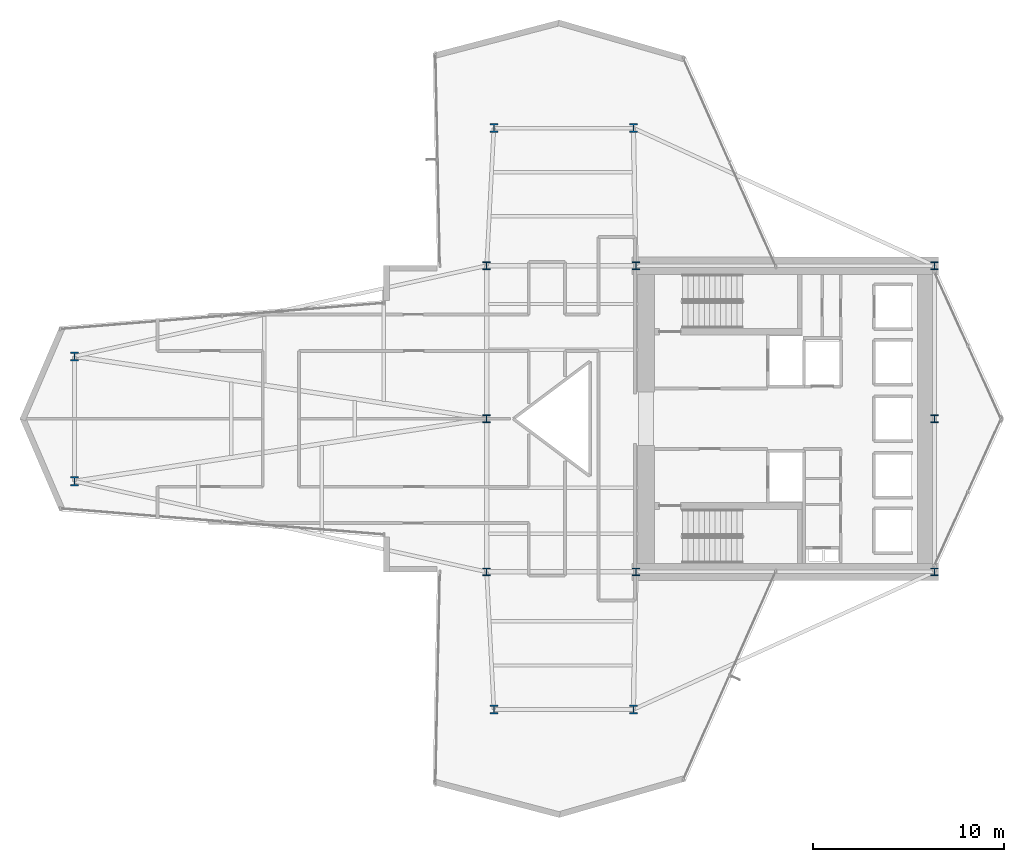
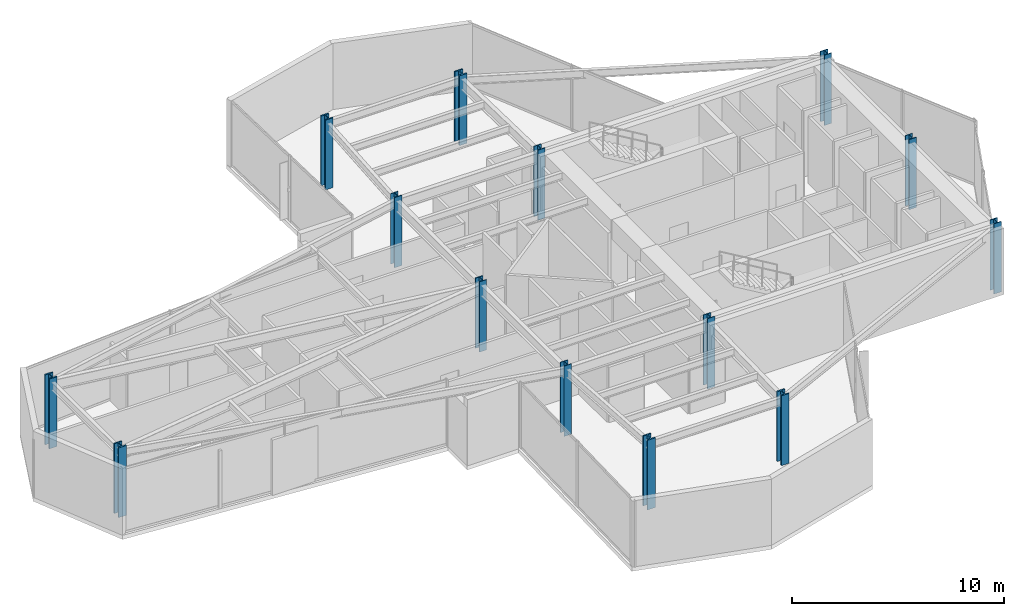
# One storey, part 1 of 23: 14 columns.
"""IFC4 building model written with IfcOpenShell, lengths in metres."""

from ifc_helpers import new_model, si_unit, direction, frame, origin, origin_2d, place, context, subcontext, project, spatial, i_section, extrude, material, material_profile, profile_set, type_object, element, save


model = new_model("IFC4")

# Units and contexts
model_context = context("Model", 3, precision=1e-05, world=origin(), true_north=direction((0.0, 1.0)))
body_context = subcontext(model_context, "Body", "Model", "MODEL_VIEW")
ifc_project = project(units=[si_unit("LENGTHUNIT", "METRE"), si_unit("AREAUNIT", "SQUARE_METRE"), si_unit("VOLUMEUNIT", "CUBIC_METRE"), si_unit("PLANEANGLEUNIT", "RADIAN"), si_unit("MASSUNIT", "GRAM", prefix="KILO")], contexts=[model_context])

# Site, building, storey
site_placement = place(None, origin())
site = spatial("IfcSite", under=ifc_project, at=site_placement, CompositionType="ELEMENT")
building_placement = place(site_placement, origin())
building = spatial("IfcBuilding", under=site, at=building_placement, Name="Veymaron Broadcast Tower", CompositionType="ELEMENT")
storey_placement = place(building_placement, frame((0.0, 0.0, 94.5)))
storey = spatial("IfcBuildingStorey", under=building, at=storey_placement, Name="L21", CompositionType="ELEMENT", Elevation=94.5)

# Columns
ifc_material = material(Name="Structural steel ASTM A913 Gr 65", Category="steel")
ifc_material_profile_1 = material_profile(ifc_material, i_section(OverallWidth=0.40087890625, OverallDepth=0.39892578125, WebThickness=0.02490234375, FlangeThickness=0.03955078125, at=origin_2d()), Name="W360X314")
ifc_profile_set_1 = profile_set([ifc_material_profile_1], Name="Structural steel ASTM A913 Gr 65")
column_type_1 = type_object("IfcColumnType", Name="COL-HC1", PredefinedType="COLUMN", material=ifc_profile_set_1)
for number, where, z_axis, x_axis, name in (
    (1, (31.199951171875, 16.0, 0.0), (0.0, 0.0, 1.0), (1.0, 0.0, 0.0), "L21 structural hub and core column"),
    (2, (31.199951171875, 24.0, 0.0), (0.0, 0.0, 1.0), (1.0, 0.0, 0.0), "L21 structural hub and core column"),
    (3, (31.199951171875, 32.0, 0.0), (0.0, 0.0, 1.0), (1.0, 0.0, 0.0), "L21 structural hub and core column"),
    (4, (39.0, 16.0, 0.0), (0.0, 0.0, 1.0), (1.0, 0.0, 0.0), "L21 structural hub and core column"),
    (5, (39.0, 32.0, 0.0), (0.0, 0.0, 1.0), (1.0, 0.0, 0.0), "L21 structural hub and core column"),
    (6, (54.60009765625, 16.0, 0.0), (0.0, 0.0, 1.0), (1.0, 0.0, 0.0), "L21 structural hub and core column"),
    (7, (54.60009765625, 24.0, 0.0), (0.0, 0.0, 1.0), (1.0, 0.0, 0.0), "L21 structural hub and core column"),
    (8, (54.60009765625, 32.0, 0.0), (0.0, 0.0, 1.0), (1.0, 0.0, 0.0), "L21 structural hub and core column"),
):
    element("IfcColumn", number, at=place(storey_placement, frame(where, z_axis=z_axis, x_axis=x_axis)), inside=storey, type_object=column_type_1, Name=name, PredefinedType="COLUMN", context=body_context, shape_type="SweptSolid", body=[
        extrude(i_section(OverallWidth=0.40087890625, OverallDepth=0.39892578125, WebThickness=0.02490234375, FlangeThickness=0.03955078125, at=origin_2d()), origin(), (0.0, 0.0, 1.0), 4.0439453125),
    ])
ifc_material_profile_2 = material_profile(ifc_material, i_section(OverallWidth=0.424072265625, OverallDepth=0.47412109375, WebThickness=0.047607421875, FlangeThickness=0.076904296875, at=origin_2d()), Name="W360X634")
ifc_profile_set_2 = profile_set([ifc_material_profile_2], Name="Structural steel ASTM A913 Gr 65")
column_type_2 = type_object("IfcColumnType", Name="COL-MC1", PredefinedType="COLUMN", material=ifc_profile_set_2)
for number, where, z_axis, x_axis, name in (
    (9, (9.6630859375, 20.735107421875, 0.01611328125), (0.0, 0.0, 1.0), (1.0, 0.0, 0.0), "L21 Tapered Wing Mega Column"),
    (10, (9.6630859375, 27.264892578125, 0.01611328125), (0.0, 0.0, 1.0), (1.0, 0.0, 0.0), "L21 Tapered Wing Mega Column"),
    (11, (31.577880859375, 39.18994140625, 0.01611328125), (0.0, 0.0, 1.0), (1.0, 0.0, 0.0), "L21 Tapered Wing Mega Column"),
    (12, (38.864990234375, 39.18994140625, 0.01611328125), (0.0, 0.0, 1.0), (1.0, 0.0, 0.0), "L21 Tapered Wing Mega Column"),
    (13, (31.577880859375, 8.81005859375, 0.01611328125), (0.0, 0.0, 1.0), (1.0, 0.0, 0.0), "L21 Tapered Wing Mega Column"),
    (14, (38.864990234375, 8.81005859375, 0.01611328125), (0.0, 0.0, 1.0), (1.0, 0.0, 0.0), "L21 Tapered Wing Mega Column"),
):
    element("IfcColumn", number, at=place(storey_placement, frame(where, z_axis=z_axis, x_axis=x_axis)), inside=storey, type_object=column_type_2, Name=name, PredefinedType="COLUMN", context=body_context, shape_type="SweptSolid", body=[
        extrude(i_section(OverallWidth=0.424072265625, OverallDepth=0.47412109375, WebThickness=0.047607421875, FlangeThickness=0.076904296875, at=origin_2d()), origin(), (0.0, 0.0, 1.0), 4.017822265625),
    ])

save(model, "model.ifc")
